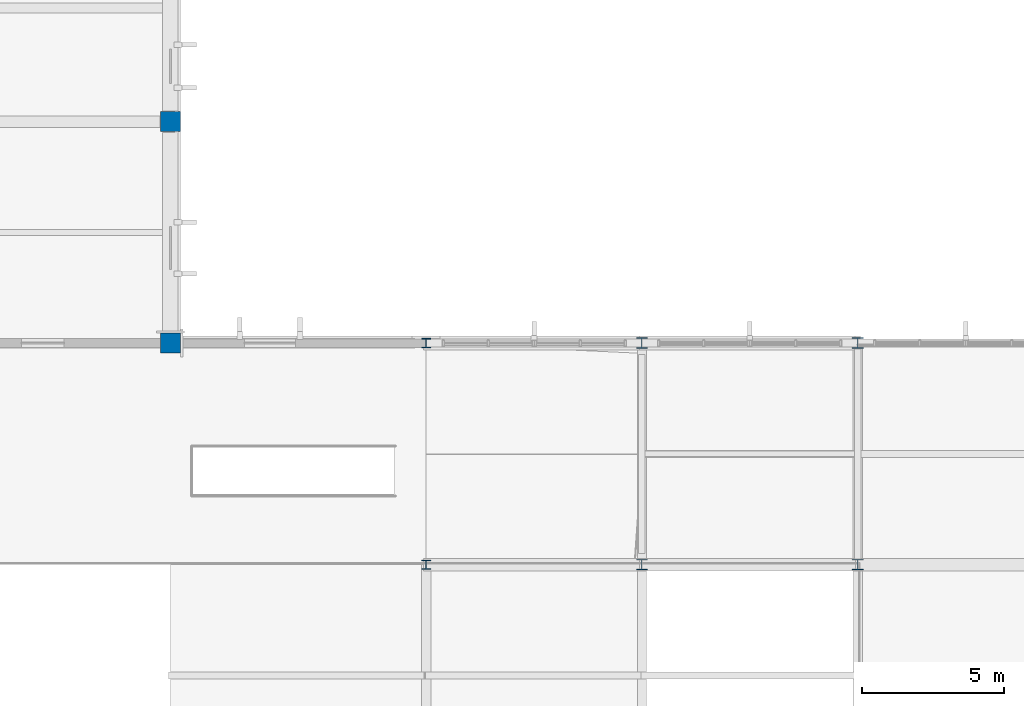
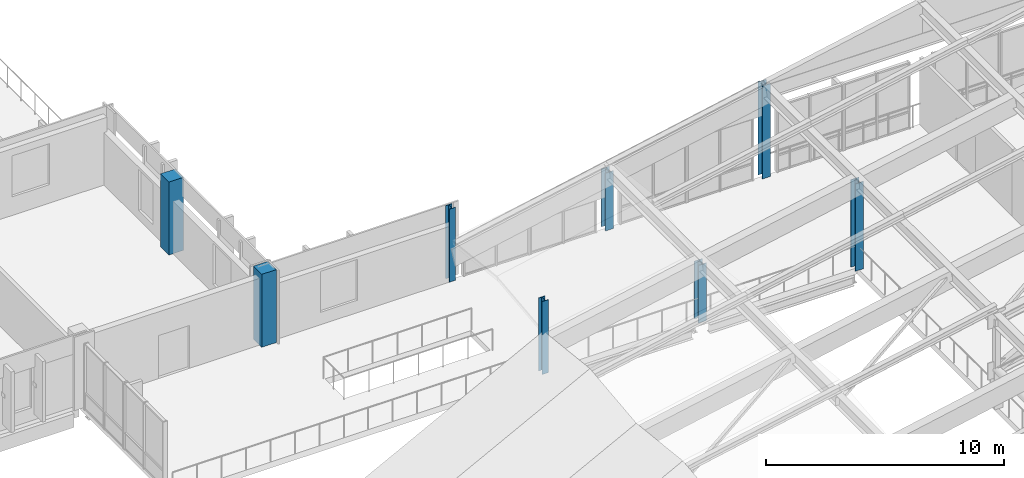
# One storey, part 6 of 73: 8 columns.
"""IFC4 building model written with IfcOpenShell, lengths in metres."""

from ifc_helpers import new_model, si_unit, direction, frame, origin, origin_2d, place, context, subcontext, project, spatial, rectangle, i_section, extrude, material, material_profile, profile_set, type_object, element, save


model = new_model("IFC4")

# Units and contexts
model_context = context("Model", 3, precision=1e-05, world=origin(), true_north=direction((0.0, 1.0)))
body_context = subcontext(model_context, "Body", "Model", "MODEL_VIEW")
ifc_project = project(units=[si_unit("LENGTHUNIT", "METRE"), si_unit("AREAUNIT", "SQUARE_METRE"), si_unit("VOLUMEUNIT", "CUBIC_METRE"), si_unit("PLANEANGLEUNIT", "RADIAN"), si_unit("MASSUNIT", "GRAM", prefix="KILO")], contexts=[model_context])

# Site, building, storey
site_placement = place(None, origin())
site = spatial("IfcSite", under=ifc_project, at=site_placement, CompositionType="ELEMENT")
building_placement = place(site_placement, origin())
building = spatial("IfcBuilding", under=site, at=building_placement, Name="Vervanel Yard Central Library", CompositionType="ELEMENT")
storey_placement = place(building_placement, frame((0.0, 0.0, 12.780029296875)))
storey = spatial("IfcBuildingStorey", under=building, at=storey_placement, Name="L03", CompositionType="ELEMENT", Elevation=12.780029296875)

# Columns
ifc_material_1 = material(Name="Concrete C40/50", Category="concrete")
ifc_material_profile_1 = material_profile(ifc_material_1, rectangle(XDim=0.699951171875, YDim=0.699951171875, at=origin_2d()), Name="RC 700x700", Category="concrete")
ifc_profile_set_1 = profile_set([ifc_material_profile_1], Name="Concrete C40/50")
column_type_1 = type_object("IfcColumnType", Name="Concrete Column 700x700", PredefinedType="COLUMN", material=ifc_profile_set_1)
for number, where, z_axis, x_axis, name in (
    (1, (99.0, 82.199951171875, 0.0), (0.0, 0.0, 1.0), (1.0, 0.0, 0.0), "L03 Concrete Column 700x700 (99.0, 82.2)"),
    (2, (99.0, 90.0, 0.0), (0.0, 0.0, 1.0), (1.0, 0.0, 0.0), "L03 Concrete Column 700x700 (99.0, 90.0)"),
):
    element("IfcColumn", number, at=place(storey_placement, frame(where, z_axis=z_axis, x_axis=x_axis)), inside=storey, type_object=column_type_1, Name=name, PredefinedType="COLUMN", context=body_context, shape_type="SweptSolid", body=[
        extrude(rectangle(XDim=0.699951171875, YDim=0.699951171875, at=origin_2d()), origin(), (0.0, 0.0, 1.0), 3.739990234375),
    ])
ifc_material_2 = material(Name="Steel ASTM A992 Grade 50", Category="steel")
ifc_material_profile_2 = material_profile(ifc_material_2, i_section(OverallWidth=0.309814453125, OverallDepth=0.32763671875, WebThickness=0.015380859375, FlangeThickness=0.025146484375, at=origin_2d()), Name="W12X106", Category="steel")
ifc_profile_set_2 = profile_set([ifc_material_profile_2], Name="Steel ASTM A992 Grade 50")
column_type_2 = type_object("IfcColumnType", Name="Steel Column W12X106", PredefinedType="COLUMN", material=ifc_profile_set_2)
for number, where, z_axis, x_axis, name in (
    (3, (108.0, 74.39990234375, 0.0), (0.0, 0.0, 1.0), (1.0, 0.0, 0.0), "L03 Steel Column W12X106 (108.0, 74.4)"),
    (4, (108.0, 82.199951171875, 0.0), (0.0, 0.0, 1.0), (1.0, 0.0, 0.0), "L03 Steel Column W12X106 (108.0, 82.2)"),
):
    element("IfcColumn", number, at=place(storey_placement, frame(where, z_axis=z_axis, x_axis=x_axis)), inside=storey, type_object=column_type_2, Name=name, PredefinedType="COLUMN", context=body_context, shape_type="SweptSolid", body=[
        extrude(i_section(OverallWidth=0.309814453125, OverallDepth=0.32763671875, WebThickness=0.015380859375, FlangeThickness=0.025146484375, at=origin_2d()), origin(), (0.0, 0.0, 1.0), 3.739990234375),
    ])
ifc_material_profile_3 = material_profile(ifc_material_2, i_section(OverallWidth=0.396240234375, OverallDepth=0.381103515625, WebThickness=0.01904296875, FlangeThickness=0.0302734375, at=origin_2d()), Name="W14X159", Category="steel")
ifc_profile_set_3 = profile_set([ifc_material_profile_3], Name="Steel ASTM A992 Grade 50")
column_type_3 = type_object("IfcColumnType", Name="Steel Column W14X159", PredefinedType="COLUMN", material=ifc_profile_set_3)
for number, where, z_axis, x_axis, name in (
    (5, (115.60009765625, 74.39990234375, 0.0), (0.0, 0.0, 1.0), (1.0, 0.0, 0.0), "L03 Shell Perimeter Support Post M X=115.6"),
    (6, (115.60009765625, 82.199951171875, 0.0), (0.0, 0.0, 1.0), (1.0, 0.0, 0.0), "L03 Shell Perimeter Support Post N X=115.6"),
):
    element("IfcColumn", number, at=place(storey_placement, frame(where, z_axis=z_axis, x_axis=x_axis)), inside=storey, type_object=column_type_3, Name=name, PredefinedType="COLUMN", context=body_context, shape_type="SweptSolid", body=[
        extrude(i_section(OverallWidth=0.396240234375, OverallDepth=0.381103515625, WebThickness=0.01904296875, FlangeThickness=0.0302734375, at=origin_2d()), origin(), (0.0, 0.0, 1.0), 2.95703125),
    ])
column_1_placement = place(storey_placement, frame((123.199951171875, 74.39990234375, 0.0), z_axis=(0.0, 0.0, 1.0), x_axis=(1.0, 0.0, 0.0)))
element("IfcColumn", 7, at=column_1_placement, inside=storey, type_object=column_type_3, Name="L03 Shell Perimeter Support Post M X=123.2", PredefinedType="COLUMN", context=body_context, shape_type="SweptSolid", body=[
    extrude(i_section(OverallWidth=0.396240234375, OverallDepth=0.381103515625, WebThickness=0.01904296875, FlangeThickness=0.0302734375, at=origin_2d()), origin(), (0.0, 0.0, 1.0), 4.47412109375),
])
column_2_placement = place(storey_placement, frame((123.199951171875, 82.199951171875, 0.0), z_axis=(0.0, 0.0, 1.0), x_axis=(1.0, 0.0, 0.0)))
element("IfcColumn", 8, at=column_2_placement, inside=storey, type_object=column_type_3, Name="L03 Shell Perimeter Support Post N X=123.2", PredefinedType="COLUMN", context=body_context, shape_type="SweptSolid", body=[
    extrude(i_section(OverallWidth=0.396240234375, OverallDepth=0.381103515625, WebThickness=0.01904296875, FlangeThickness=0.0302734375, at=origin_2d()), origin(), (0.0, 0.0, 1.0), 4.754150390625),
])

save(model, "model.ifc")
